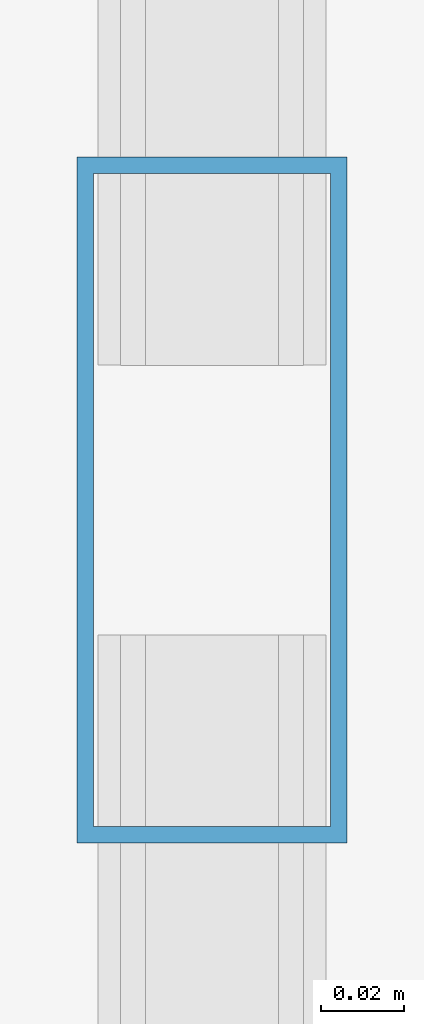
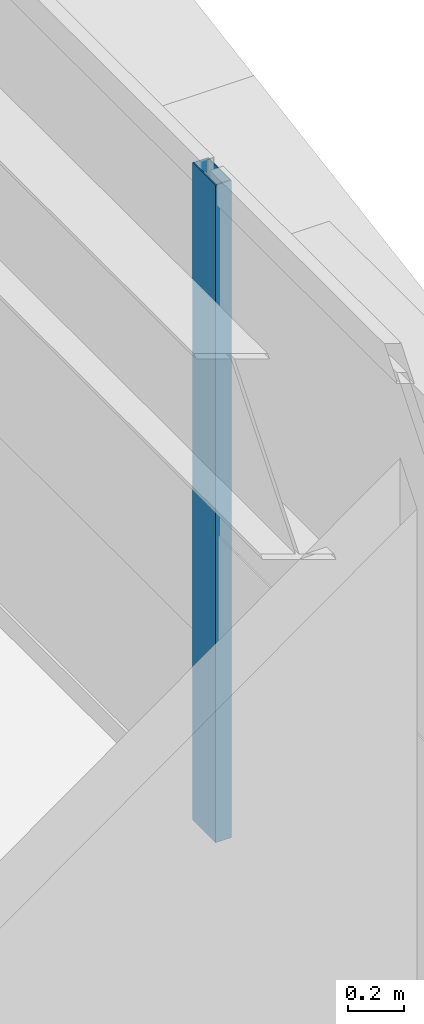
# One storey, part 19 of 45: 1 member, 1 element without a shape of its own.
"""IFC4 building model written with IfcOpenShell, lengths in metres."""

from ifc_helpers import new_model, si_unit, direction, frame, origin, origin_2d, place, context, subcontext, project, spatial, hollow_rectangle, extrude, source, transform, mapped, material, layer, layer_set, material_profile, profile_set, type_object, element, aggregate, save


model = new_model("IFC4")

# Units and contexts
model_context = context("Model", 3, precision=1e-05, world=origin(), true_north=direction((0.0, 1.0)))
body_context = subcontext(model_context, "Body", "Model", "MODEL_VIEW")
ifc_project = project(units=[si_unit("LENGTHUNIT", "METRE"), si_unit("AREAUNIT", "SQUARE_METRE"), si_unit("VOLUMEUNIT", "CUBIC_METRE"), si_unit("PLANEANGLEUNIT", "RADIAN"), si_unit("MASSUNIT", "GRAM", prefix="KILO")], contexts=[model_context])

# Site, building, storey
site_placement = place(None, origin())
site = spatial("IfcSite", under=ifc_project, at=site_placement, CompositionType="ELEMENT")
building_placement = place(site_placement, origin())
building = spatial("IfcBuilding", under=site, at=building_placement, Name="Taldren Reach Tower", CompositionType="ELEMENT")
storey_placement = place(building_placement, frame((0.0, 0.0, 57.75)))
storey = spatial("IfcBuildingStorey", under=building, at=storey_placement, Name="L17", CompositionType="ELEMENT", Elevation=57.75)

# Curtain wall, member
ifc_material_1 = material(Name="Aluminium and Low-E Glass Unitised System", Category="aluminium")
ifc_layer = layer(ifc_material_1, 0.159912109375)
ifc_layer_set = layer_set([ifc_layer], Name="Aluminium and Low-E Glass Unitised System")
curtain_wall_type = type_object("IfcCurtainWallType", Name="CW-SYS-2", PredefinedType="NOTDEFINED", material=ifc_layer_set)
curtain_wall_placement = place(storey_placement, origin())
curtain_wall = element("IfcCurtainWall", 1, at=curtain_wall_placement, inside=storey, type_object=curtain_wall_type, Name="Unitised curtain wall CW-L17-E", PredefinedType="NOTDEFINED")
ifc_material_2 = material(Name="Anodised Aluminium 6063-T6", Category="aluminium")
ifc_material_profile = material_profile(ifc_material_2, hollow_rectangle(XDim=0.06494140625, YDim=0.1650390625, WallThickness=0.00390625, at=origin_2d()), Name="ALU-165x65x4RHS")
ifc_profile_set = profile_set([ifc_material_profile], Name="Anodised Aluminium 6063-T6")
member_type = type_object("IfcMemberType", Name="CW-MUL-165", PredefinedType="MULLION", material=ifc_profile_set)
shared_shape = source(origin(), body_context, "Body", "SweptSolid", [
    extrude(hollow_rectangle(XDim=0.06494140625, YDim=0.1650390625, WallThickness=0.00390625, at=origin_2d()), origin(), (0.0, 0.0, 1.0), 2.8701171875),
])
member_placement = place(storey_placement, frame((64.860107421875, 25.166748046875, 0.0), z_axis=(0.0, 0.0, 1.0), x_axis=(-1.0, 0.0, 0.0)))
member = element("IfcMember", 2, at=member_placement, type_object=member_type, Name="CW-2 mullion 3", PredefinedType="MULLION", context=body_context, shape_type="MappedRepresentation", body=[
    mapped(shared_shape, transform((0.0, 0.0, 0.0), scale=1.0)),
])
aggregate(curtain_wall, [member])

save(model, "model.ifc")
